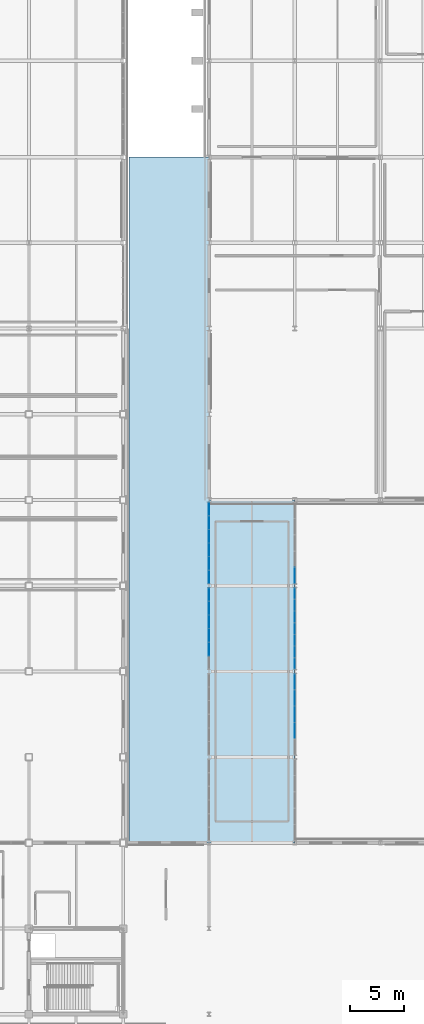
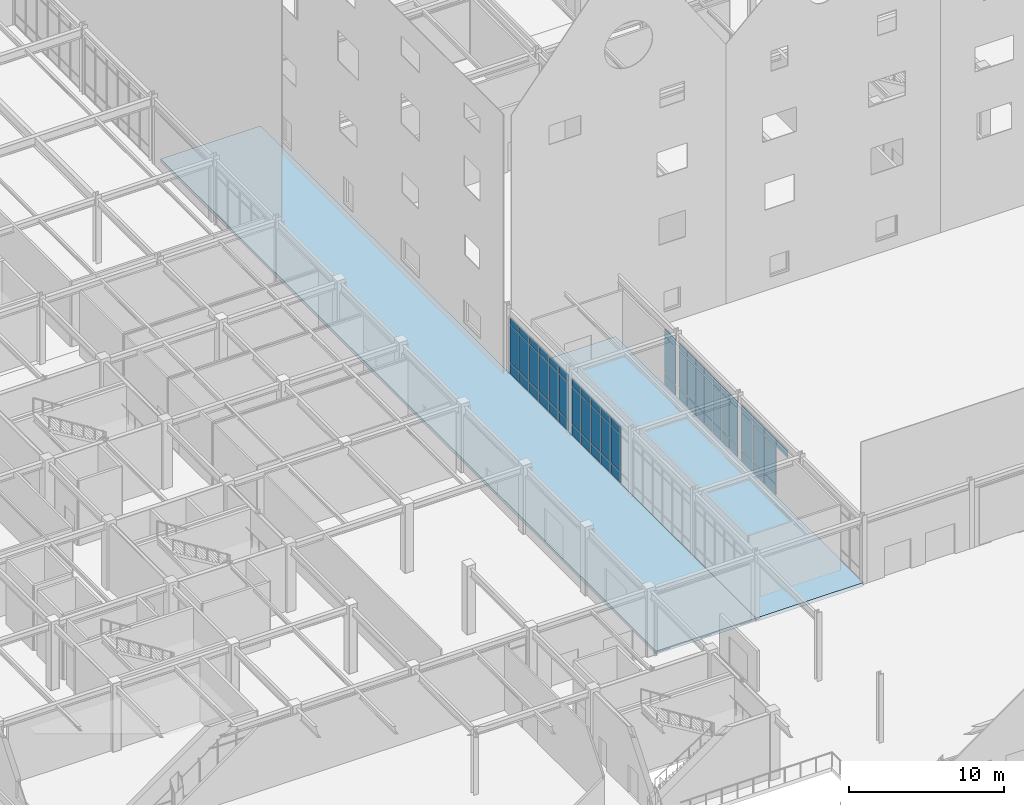
# One storey, part 57 of 119: 67 plates, 2 slabs, 5 elements without a shape of their own.
"""IFC4 building model written with IfcOpenShell, lengths in metres."""

from ifc_helpers import new_model, si_unit, direction, frame, origin, origin_2d, place, context, subcontext, project, spatial, polyline, rectangle, outline, extrude, material, layer, layer_set, type_object, element, aggregate, save


model = new_model("IFC4")

# Units and contexts
model_context = context("Model", 3, precision=1e-05, world=origin(), true_north=direction((0.0, 1.0)))
body_context = subcontext(model_context, "Body", "Model", "MODEL_VIEW")
ifc_project = project(units=[si_unit("LENGTHUNIT", "METRE"), si_unit("AREAUNIT", "SQUARE_METRE"), si_unit("VOLUMEUNIT", "CUBIC_METRE"), si_unit("PLANEANGLEUNIT", "RADIAN"), si_unit("MASSUNIT", "GRAM", prefix="KILO")], contexts=[model_context])

# Site, building, storey
site_placement = place(None, origin())
site = spatial("IfcSite", under=ifc_project, at=site_placement, CompositionType="ELEMENT")
building_placement = place(site_placement, origin())
building = spatial("IfcBuilding", under=site, at=building_placement, Name="Zhaolan Boulevard Law Courts", CompositionType="ELEMENT")
storey_placement = place(building_placement, origin())
storey = spatial("IfcBuildingStorey", under=building, at=storey_placement, Name="L00", CompositionType="ELEMENT", Elevation=0.0)

# Curtain wall, plates
ifc_material_1 = material(Name="Thermally broken aluminium and low-E glazing", Category="aluminium")
curtain_wall_type_1 = type_object("IfcCurtainWallType", Name="CURTAIN WALL M14", PredefinedType="USERDEFINED", material=ifc_material_1)
curtain_wall_1_placement = place(storey_placement, origin())
curtain_wall_1 = element("IfcCurtainWall", 1, at=curtain_wall_1_placement, inside=storey, type_object=curtain_wall_type_1, Name="Curtain Wall CW-L00-014", ObjectType="CURTAIN WALL", PredefinedType="USERDEFINED")
ifc_material_2 = material(Name="Acoustic laminated low-E glazing", Category="glass")
ifc_layer_1 = layer(ifc_material_2, 0.031982421875)
ifc_layer_set_1 = layer_set([ifc_layer_1])
plate_type = type_object("IfcPlateType", Name="CWPANEL LOW E32", PredefinedType="CURTAIN_PANEL", material=ifc_layer_set_1)
plate_1_placement = place(storey_placement, frame((52.0, 53.169677734375, 0.06494140625), z_axis=(0.0, 0.0, 1.0), x_axis=(0.0, -1.0, 0.0)))
plate_1 = element("IfcPlate", 2, at=plate_1_placement, type_object=plate_type, Name="CW-L00-014 panel 1.1", PredefinedType="CURTAIN_PANEL", context=body_context, shape_type="SweptSolid", body=[
    extrude(rectangle(XDim=1.1767578125, YDim=0.031982421875, at=origin_2d()), origin(), (0.0, 0.0, 1.0), 0.802490234375),
])
plate_2_placement = place(storey_placement, frame((52.0, 53.169677734375, 0.9326171875), z_axis=(0.0, 0.0, 1.0), x_axis=(0.0, -1.0, 0.0)))
plate_2 = element("IfcPlate", 3, at=plate_2_placement, type_object=plate_type, Name="CW-L00-014 panel 1.2", PredefinedType="CURTAIN_PANEL", context=body_context, shape_type="SweptSolid", body=[
    extrude(rectangle(XDim=1.1767578125, YDim=0.031982421875, at=origin_2d()), origin(), (0.0, 0.0, 1.0), 2.91796875),
])
plate_3_placement = place(storey_placement, frame((52.0, 53.169677734375, 3.91552734375), z_axis=(0.0, 0.0, 1.0), x_axis=(0.0, -1.0, 0.0)))
plate_3 = element("IfcPlate", 4, at=plate_3_placement, type_object=plate_type, Name="CW-L00-014 panel 1.3", PredefinedType="CURTAIN_PANEL", context=body_context, shape_type="SweptSolid", body=[
    extrude(rectangle(XDim=1.1767578125, YDim=0.031982421875, at=origin_2d()), origin(), (0.0, 0.0, 1.0), 0.552490234375),
])
plate_4_placement = place(storey_placement, frame((52.0, 51.91162109375, 0.06494140625), z_axis=(0.0, 0.0, 1.0), x_axis=(0.0, -1.0, 0.0)))
plate_4 = element("IfcPlate", 5, at=plate_4_placement, type_object=plate_type, Name="CW-L00-014 panel 2.1", PredefinedType="CURTAIN_PANEL", context=body_context, shape_type="SweptSolid", body=[
    extrude(rectangle(XDim=1.209228515625, YDim=0.031982421875, at=origin_2d()), origin(), (0.0, 0.0, 1.0), 0.802490234375),
])
plate_5_placement = place(storey_placement, frame((52.0, 51.91162109375, 0.9326171875), z_axis=(0.0, 0.0, 1.0), x_axis=(0.0, -1.0, 0.0)))
plate_5 = element("IfcPlate", 6, at=plate_5_placement, type_object=plate_type, Name="CW-L00-014 panel 2.2", PredefinedType="CURTAIN_PANEL", context=body_context, shape_type="SweptSolid", body=[
    extrude(rectangle(XDim=1.209228515625, YDim=0.031982421875, at=origin_2d()), origin(), (0.0, 0.0, 1.0), 2.91796875),
])
plate_6_placement = place(storey_placement, frame((52.0, 51.91162109375, 3.91552734375), z_axis=(0.0, 0.0, 1.0), x_axis=(0.0, -1.0, 0.0)))
plate_6 = element("IfcPlate", 7, at=plate_6_placement, type_object=plate_type, Name="CW-L00-014 panel 2.3", PredefinedType="CURTAIN_PANEL", context=body_context, shape_type="SweptSolid", body=[
    extrude(rectangle(XDim=1.209228515625, YDim=0.031982421875, at=origin_2d()), origin(), (0.0, 0.0, 1.0), 0.552490234375),
])
plate_7_placement = place(storey_placement, frame((52.0, 50.63720703125, 0.06494140625), z_axis=(0.0, 0.0, 1.0), x_axis=(0.0, -1.0, 0.0)))
plate_7 = element("IfcPlate", 8, at=plate_7_placement, type_object=plate_type, Name="CW-L00-014 panel 3.1", PredefinedType="CURTAIN_PANEL", context=body_context, shape_type="SweptSolid", body=[
    extrude(rectangle(XDim=1.209228515625, YDim=0.031982421875, at=origin_2d()), origin(), (0.0, 0.0, 1.0), 0.802490234375),
])
plate_8_placement = place(storey_placement, frame((52.0, 50.63720703125, 0.9326171875), z_axis=(0.0, 0.0, 1.0), x_axis=(0.0, -1.0, 0.0)))
plate_8 = element("IfcPlate", 9, at=plate_8_placement, type_object=plate_type, Name="CW-L00-014 panel 3.2", PredefinedType="CURTAIN_PANEL", context=body_context, shape_type="SweptSolid", body=[
    extrude(rectangle(XDim=1.209228515625, YDim=0.031982421875, at=origin_2d()), origin(), (0.0, 0.0, 1.0), 2.91796875),
])
plate_9_placement = place(storey_placement, frame((52.0, 50.63720703125, 3.91552734375), z_axis=(0.0, 0.0, 1.0), x_axis=(0.0, -1.0, 0.0)))
plate_9 = element("IfcPlate", 10, at=plate_9_placement, type_object=plate_type, Name="CW-L00-014 panel 3.3", PredefinedType="CURTAIN_PANEL", context=body_context, shape_type="SweptSolid", body=[
    extrude(rectangle(XDim=1.209228515625, YDim=0.031982421875, at=origin_2d()), origin(), (0.0, 0.0, 1.0), 0.552490234375),
])
plate_10_placement = place(storey_placement, frame((52.0, 49.36279296875, 0.06494140625), z_axis=(0.0, 0.0, 1.0), x_axis=(0.0, -1.0, 0.0)))
plate_10 = element("IfcPlate", 11, at=plate_10_placement, type_object=plate_type, Name="CW-L00-014 panel 4.1", PredefinedType="CURTAIN_PANEL", context=body_context, shape_type="SweptSolid", body=[
    extrude(rectangle(XDim=1.209228515625, YDim=0.031982421875, at=origin_2d()), origin(), (0.0, 0.0, 1.0), 0.802490234375),
])
plate_11_placement = place(storey_placement, frame((52.0, 49.36279296875, 0.9326171875), z_axis=(0.0, 0.0, 1.0), x_axis=(0.0, -1.0, 0.0)))
plate_11 = element("IfcPlate", 12, at=plate_11_placement, type_object=plate_type, Name="CW-L00-014 panel 4.2", PredefinedType="CURTAIN_PANEL", context=body_context, shape_type="SweptSolid", body=[
    extrude(rectangle(XDim=1.209228515625, YDim=0.031982421875, at=origin_2d()), origin(), (0.0, 0.0, 1.0), 2.91796875),
])
plate_12_placement = place(storey_placement, frame((52.0, 49.36279296875, 3.91552734375), z_axis=(0.0, 0.0, 1.0), x_axis=(0.0, -1.0, 0.0)))
plate_12 = element("IfcPlate", 13, at=plate_12_placement, type_object=plate_type, Name="CW-L00-014 panel 4.3", PredefinedType="CURTAIN_PANEL", context=body_context, shape_type="SweptSolid", body=[
    extrude(rectangle(XDim=1.209228515625, YDim=0.031982421875, at=origin_2d()), origin(), (0.0, 0.0, 1.0), 0.552490234375),
])
plate_13_placement = place(storey_placement, frame((52.0, 48.08837890625, 0.06494140625), z_axis=(0.0, 0.0, 1.0), x_axis=(0.0, -1.0, 0.0)))
plate_13 = element("IfcPlate", 14, at=plate_13_placement, type_object=plate_type, Name="CW-L00-014 panel 5.1", PredefinedType="CURTAIN_PANEL", context=body_context, shape_type="SweptSolid", body=[
    extrude(rectangle(XDim=1.209228515625, YDim=0.031982421875, at=origin_2d()), origin(), (0.0, 0.0, 1.0), 0.802490234375),
])
plate_14_placement = place(storey_placement, frame((52.0, 48.08837890625, 0.9326171875), z_axis=(0.0, 0.0, 1.0), x_axis=(0.0, -1.0, 0.0)))
plate_14 = element("IfcPlate", 15, at=plate_14_placement, type_object=plate_type, Name="CW-L00-014 panel 5.2", PredefinedType="CURTAIN_PANEL", context=body_context, shape_type="SweptSolid", body=[
    extrude(rectangle(XDim=1.209228515625, YDim=0.031982421875, at=origin_2d()), origin(), (0.0, 0.0, 1.0), 2.91796875),
])
plate_15_placement = place(storey_placement, frame((52.0, 48.08837890625, 3.91552734375), z_axis=(0.0, 0.0, 1.0), x_axis=(0.0, -1.0, 0.0)))
plate_15 = element("IfcPlate", 16, at=plate_15_placement, type_object=plate_type, Name="CW-L00-014 panel 5.3", PredefinedType="CURTAIN_PANEL", context=body_context, shape_type="SweptSolid", body=[
    extrude(rectangle(XDim=1.209228515625, YDim=0.031982421875, at=origin_2d()), origin(), (0.0, 0.0, 1.0), 0.552490234375),
])
aggregate(curtain_wall_1, [plate_1, plate_2, plate_3, plate_4, plate_5, plate_6, plate_7, plate_8, plate_9, plate_10, plate_11, plate_12, plate_13, plate_14, plate_15])

ifc_material_3 = material(Name="Thermally broken aluminium and low-E glazing", Category="aluminium")
curtain_wall_type_2 = type_object("IfcCurtainWallType", Name="CURTAIN WALL M15", PredefinedType="USERDEFINED", material=ifc_material_3)
curtain_wall_2_placement = place(storey_placement, origin())
curtain_wall_2 = element("IfcCurtainWall", 17, at=curtain_wall_2_placement, inside=storey, type_object=curtain_wall_type_2, Name="Curtain Wall CW-L00-015", ObjectType="CURTAIN WALL", PredefinedType="USERDEFINED")
plate_16_placement = place(storey_placement, frame((52.0, 61.146728515625, 0.06494140625), z_axis=(0.0, 0.0, 1.0), x_axis=(0.0, -1.0, 0.0)))
plate_16 = element("IfcPlate", 18, at=plate_16_placement, type_object=plate_type, Name="CW-L00-015 panel 1.1", PredefinedType="CURTAIN_PANEL", context=body_context, shape_type="SweptSolid", body=[
    extrude(rectangle(XDim=1.172607421875, YDim=0.031982421875, at=origin_2d()), origin(), (0.0, 0.0, 1.0), 0.802490234375),
])
plate_17_placement = place(storey_placement, frame((52.0, 61.146728515625, 0.9326171875), z_axis=(0.0, 0.0, 1.0), x_axis=(0.0, -1.0, 0.0)))
plate_17 = element("IfcPlate", 19, at=plate_17_placement, type_object=plate_type, Name="CW-L00-015 panel 1.2", PredefinedType="CURTAIN_PANEL", context=body_context, shape_type="SweptSolid", body=[
    extrude(rectangle(XDim=1.172607421875, YDim=0.031982421875, at=origin_2d()), origin(), (0.0, 0.0, 1.0), 2.91796875),
])
plate_18_placement = place(storey_placement, frame((52.0, 61.146728515625, 3.91552734375), z_axis=(0.0, 0.0, 1.0), x_axis=(0.0, -1.0, 0.0)))
plate_18 = element("IfcPlate", 20, at=plate_18_placement, type_object=plate_type, Name="CW-L00-015 panel 1.3", PredefinedType="CURTAIN_PANEL", context=body_context, shape_type="SweptSolid", body=[
    extrude(rectangle(XDim=1.172607421875, YDim=0.031982421875, at=origin_2d()), origin(), (0.0, 0.0, 1.0), 0.552490234375),
])
plate_19_placement = place(storey_placement, frame((52.0, 59.892822265625, 0.06494140625), z_axis=(0.0, 0.0, 1.0), x_axis=(0.0, -1.0, 0.0)))
plate_19 = element("IfcPlate", 21, at=plate_19_placement, type_object=plate_type, Name="CW-L00-015 panel 2.1", PredefinedType="CURTAIN_PANEL", context=body_context, shape_type="SweptSolid", body=[
    extrude(rectangle(XDim=1.205078125, YDim=0.031982421875, at=origin_2d()), origin(), (0.0, 0.0, 1.0), 0.802490234375),
])
plate_20_placement = place(storey_placement, frame((52.0, 59.892822265625, 0.9326171875), z_axis=(0.0, 0.0, 1.0), x_axis=(0.0, -1.0, 0.0)))
plate_20 = element("IfcPlate", 22, at=plate_20_placement, type_object=plate_type, Name="CW-L00-015 panel 2.2", PredefinedType="CURTAIN_PANEL", context=body_context, shape_type="SweptSolid", body=[
    extrude(rectangle(XDim=1.205078125, YDim=0.031982421875, at=origin_2d()), origin(), (0.0, 0.0, 1.0), 2.91796875),
])
plate_21_placement = place(storey_placement, frame((52.0, 59.892822265625, 3.91552734375), z_axis=(0.0, 0.0, 1.0), x_axis=(0.0, -1.0, 0.0)))
plate_21 = element("IfcPlate", 23, at=plate_21_placement, type_object=plate_type, Name="CW-L00-015 panel 2.3", PredefinedType="CURTAIN_PANEL", context=body_context, shape_type="SweptSolid", body=[
    extrude(rectangle(XDim=1.205078125, YDim=0.031982421875, at=origin_2d()), origin(), (0.0, 0.0, 1.0), 0.552490234375),
])
plate_22_placement = place(storey_placement, frame((52.0, 58.62255859375, 0.06494140625), z_axis=(0.0, 0.0, 1.0), x_axis=(0.0, -1.0, 0.0)))
plate_22 = element("IfcPlate", 24, at=plate_22_placement, type_object=plate_type, Name="CW-L00-015 panel 3.1", PredefinedType="CURTAIN_PANEL", context=body_context, shape_type="SweptSolid", body=[
    extrude(rectangle(XDim=1.205078125, YDim=0.031982421875, at=origin_2d()), origin(), (0.0, 0.0, 1.0), 0.802490234375),
])
plate_23_placement = place(storey_placement, frame((52.0, 58.62255859375, 0.9326171875), z_axis=(0.0, 0.0, 1.0), x_axis=(0.0, -1.0, 0.0)))
plate_23 = element("IfcPlate", 25, at=plate_23_placement, type_object=plate_type, Name="CW-L00-015 panel 3.2", PredefinedType="CURTAIN_PANEL", context=body_context, shape_type="SweptSolid", body=[
    extrude(rectangle(XDim=1.205078125, YDim=0.031982421875, at=origin_2d()), origin(), (0.0, 0.0, 1.0), 2.91796875),
])
plate_24_placement = place(storey_placement, frame((52.0, 58.62255859375, 3.91552734375), z_axis=(0.0, 0.0, 1.0), x_axis=(0.0, -1.0, 0.0)))
plate_24 = element("IfcPlate", 26, at=plate_24_placement, type_object=plate_type, Name="CW-L00-015 panel 3.3", PredefinedType="CURTAIN_PANEL", context=body_context, shape_type="SweptSolid", body=[
    extrude(rectangle(XDim=1.205078125, YDim=0.031982421875, at=origin_2d()), origin(), (0.0, 0.0, 1.0), 0.552490234375),
])
plate_25_placement = place(storey_placement, frame((52.0, 57.352294921875, 0.06494140625), z_axis=(0.0, 0.0, 1.0), x_axis=(0.0, -1.0, 0.0)))
plate_25 = element("IfcPlate", 27, at=plate_25_placement, type_object=plate_type, Name="CW-L00-015 panel 4.1", PredefinedType="CURTAIN_PANEL", context=body_context, shape_type="SweptSolid", body=[
    extrude(rectangle(XDim=1.205078125, YDim=0.031982421875, at=origin_2d()), origin(), (0.0, 0.0, 1.0), 0.802490234375),
])
plate_26_placement = place(storey_placement, frame((52.0, 57.352294921875, 0.9326171875), z_axis=(0.0, 0.0, 1.0), x_axis=(0.0, -1.0, 0.0)))
plate_26 = element("IfcPlate", 28, at=plate_26_placement, type_object=plate_type, Name="CW-L00-015 panel 4.2", PredefinedType="CURTAIN_PANEL", context=body_context, shape_type="SweptSolid", body=[
    extrude(rectangle(XDim=1.205078125, YDim=0.031982421875, at=origin_2d()), origin(), (0.0, 0.0, 1.0), 2.91796875),
])
plate_27_placement = place(storey_placement, frame((52.0, 57.352294921875, 3.91552734375), z_axis=(0.0, 0.0, 1.0), x_axis=(0.0, -1.0, 0.0)))
plate_27 = element("IfcPlate", 29, at=plate_27_placement, type_object=plate_type, Name="CW-L00-015 panel 4.3", PredefinedType="CURTAIN_PANEL", context=body_context, shape_type="SweptSolid", body=[
    extrude(rectangle(XDim=1.205078125, YDim=0.031982421875, at=origin_2d()), origin(), (0.0, 0.0, 1.0), 0.552490234375),
])
plate_28_placement = place(storey_placement, frame((52.0, 56.082275390625, 0.06494140625), z_axis=(0.0, 0.0, 1.0), x_axis=(0.0, -1.0, 0.0)))
plate_28 = element("IfcPlate", 30, at=plate_28_placement, type_object=plate_type, Name="CW-L00-015 panel 5.1", PredefinedType="CURTAIN_PANEL", context=body_context, shape_type="SweptSolid", body=[
    extrude(rectangle(XDim=1.205078125, YDim=0.031982421875, at=origin_2d()), origin(), (0.0, 0.0, 1.0), 0.802490234375),
])
plate_29_placement = place(storey_placement, frame((52.0, 56.082275390625, 0.9326171875), z_axis=(0.0, 0.0, 1.0), x_axis=(0.0, -1.0, 0.0)))
plate_29 = element("IfcPlate", 31, at=plate_29_placement, type_object=plate_type, Name="CW-L00-015 panel 5.2", PredefinedType="CURTAIN_PANEL", context=body_context, shape_type="SweptSolid", body=[
    extrude(rectangle(XDim=1.205078125, YDim=0.031982421875, at=origin_2d()), origin(), (0.0, 0.0, 1.0), 2.91796875),
])
plate_30_placement = place(storey_placement, frame((52.0, 56.082275390625, 3.91552734375), z_axis=(0.0, 0.0, 1.0), x_axis=(0.0, -1.0, 0.0)))
plate_30 = element("IfcPlate", 32, at=plate_30_placement, type_object=plate_type, Name="CW-L00-015 panel 5.3", PredefinedType="CURTAIN_PANEL", context=body_context, shape_type="SweptSolid", body=[
    extrude(rectangle(XDim=1.205078125, YDim=0.031982421875, at=origin_2d()), origin(), (0.0, 0.0, 1.0), 0.552490234375),
])
plate_31_placement = place(storey_placement, frame((52.0, 54.828369140625, 0.06494140625), z_axis=(0.0, 0.0, 1.0), x_axis=(0.0, -1.0, 0.0)))
plate_31 = element("IfcPlate", 33, at=plate_31_placement, type_object=plate_type, Name="CW-L00-015 panel 6.1", PredefinedType="CURTAIN_PANEL", context=body_context, shape_type="SweptSolid", body=[
    extrude(rectangle(XDim=1.172607421875, YDim=0.031982421875, at=origin_2d()), origin(), (0.0, 0.0, 1.0), 0.802490234375),
])
plate_32_placement = place(storey_placement, frame((52.0, 54.828369140625, 0.9326171875), z_axis=(0.0, 0.0, 1.0), x_axis=(0.0, -1.0, 0.0)))
plate_32 = element("IfcPlate", 34, at=plate_32_placement, type_object=plate_type, Name="CW-L00-015 panel 6.2", PredefinedType="CURTAIN_PANEL", context=body_context, shape_type="SweptSolid", body=[
    extrude(rectangle(XDim=1.172607421875, YDim=0.031982421875, at=origin_2d()), origin(), (0.0, 0.0, 1.0), 2.91796875),
])
plate_33_placement = place(storey_placement, frame((52.0, 54.828369140625, 3.91552734375), z_axis=(0.0, 0.0, 1.0), x_axis=(0.0, -1.0, 0.0)))
plate_33 = element("IfcPlate", 35, at=plate_33_placement, type_object=plate_type, Name="CW-L00-015 panel 6.3", PredefinedType="CURTAIN_PANEL", context=body_context, shape_type="SweptSolid", body=[
    extrude(rectangle(XDim=1.172607421875, YDim=0.031982421875, at=origin_2d()), origin(), (0.0, 0.0, 1.0), 0.552490234375),
])
aggregate(curtain_wall_2, [plate_16, plate_17, plate_18, plate_19, plate_20, plate_21, plate_22, plate_23, plate_24, plate_25, plate_26, plate_27, plate_28, plate_29, plate_30, plate_31, plate_32, plate_33])

ifc_material_4 = material(Name="Thermally broken aluminium and low-E glazing", Category="aluminium")
curtain_wall_type_3 = type_object("IfcCurtainWallType", Name="CURTAIN WALL M17", PredefinedType="USERDEFINED", material=ifc_material_4)
curtain_wall_3_placement = place(storey_placement, origin())
curtain_wall_3 = element("IfcCurtainWall", 36, at=curtain_wall_3_placement, inside=storey, type_object=curtain_wall_type_3, Name="Curtain Wall CW-L00-017", ObjectType="CURTAIN WALL", PredefinedType="USERDEFINED")
plate_34_placement = place(storey_placement, frame((60.0, 40.470703125, 3.91552734375), z_axis=(0.0, 0.0, 1.0), x_axis=(0.0, 1.0, 0.0)))
plate_34 = element("IfcPlate", 37, at=plate_34_placement, type_object=plate_type, Name="CW-L00-017 panel 2.3", PredefinedType="CURTAIN_PANEL", context=body_context, shape_type="SweptSolid", body=[
    extrude(rectangle(XDim=1.464111328125, YDim=0.031982421875, at=origin_2d()), origin(), (0.0, 0.0, 1.0), 0.552490234375),
])
plate_35_placement = place(storey_placement, frame((60.0, 42.0, 0.06494140625), z_axis=(0.0, 0.0, 1.0), x_axis=(0.0, 1.0, 0.0)))
plate_35 = element("IfcPlate", 38, at=plate_35_placement, type_object=plate_type, Name="CW-L00-017 panel 3.1", PredefinedType="CURTAIN_PANEL", context=body_context, shape_type="SweptSolid", body=[
    extrude(rectangle(XDim=1.464111328125, YDim=0.031982421875, at=origin_2d()), origin(), (0.0, 0.0, 1.0), 0.802490234375),
])
plate_36_placement = place(storey_placement, frame((60.0, 42.0, 0.9326171875), z_axis=(0.0, 0.0, 1.0), x_axis=(0.0, 1.0, 0.0)))
plate_36 = element("IfcPlate", 39, at=plate_36_placement, type_object=plate_type, Name="CW-L00-017 panel 3.2", PredefinedType="CURTAIN_PANEL", context=body_context, shape_type="SweptSolid", body=[
    extrude(rectangle(XDim=1.464111328125, YDim=0.031982421875, at=origin_2d()), origin(), (0.0, 0.0, 1.0), 2.91796875),
])
plate_37_placement = place(storey_placement, frame((60.0, 42.0, 3.91552734375), z_axis=(0.0, 0.0, 1.0), x_axis=(0.0, 1.0, 0.0)))
plate_37 = element("IfcPlate", 40, at=plate_37_placement, type_object=plate_type, Name="CW-L00-017 panel 3.3", PredefinedType="CURTAIN_PANEL", context=body_context, shape_type="SweptSolid", body=[
    extrude(rectangle(XDim=1.464111328125, YDim=0.031982421875, at=origin_2d()), origin(), (0.0, 0.0, 1.0), 0.552490234375),
])
plate_38_placement = place(storey_placement, frame((60.0, 43.529296875, 0.06494140625), z_axis=(0.0, 0.0, 1.0), x_axis=(0.0, 1.0, 0.0)))
plate_38 = element("IfcPlate", 41, at=plate_38_placement, type_object=plate_type, Name="CW-L00-017 panel 4.1", PredefinedType="CURTAIN_PANEL", context=body_context, shape_type="SweptSolid", body=[
    extrude(rectangle(XDim=1.464111328125, YDim=0.031982421875, at=origin_2d()), origin(), (0.0, 0.0, 1.0), 0.802490234375),
])
plate_39_placement = place(storey_placement, frame((60.0, 43.529296875, 0.9326171875), z_axis=(0.0, 0.0, 1.0), x_axis=(0.0, 1.0, 0.0)))
plate_39 = element("IfcPlate", 42, at=plate_39_placement, type_object=plate_type, Name="CW-L00-017 panel 4.2", PredefinedType="CURTAIN_PANEL", context=body_context, shape_type="SweptSolid", body=[
    extrude(rectangle(XDim=1.464111328125, YDim=0.031982421875, at=origin_2d()), origin(), (0.0, 0.0, 1.0), 2.91796875),
])
plate_40_placement = place(storey_placement, frame((60.0, 43.529296875, 3.91552734375), z_axis=(0.0, 0.0, 1.0), x_axis=(0.0, 1.0, 0.0)))
plate_40 = element("IfcPlate", 43, at=plate_40_placement, type_object=plate_type, Name="CW-L00-017 panel 4.3", PredefinedType="CURTAIN_PANEL", context=body_context, shape_type="SweptSolid", body=[
    extrude(rectangle(XDim=1.464111328125, YDim=0.031982421875, at=origin_2d()), origin(), (0.0, 0.0, 1.0), 0.552490234375),
])
plate_41_placement = place(storey_placement, frame((60.0, 45.042236328125, 0.06494140625), z_axis=(0.0, 0.0, 1.0), x_axis=(0.0, 1.0, 0.0)))
plate_41 = element("IfcPlate", 44, at=plate_41_placement, type_object=plate_type, Name="CW-L00-017 panel 5.1", PredefinedType="CURTAIN_PANEL", context=body_context, shape_type="SweptSolid", body=[
    extrude(rectangle(XDim=1.431640625, YDim=0.031982421875, at=origin_2d()), origin(), (0.0, 0.0, 1.0), 0.802490234375),
])
plate_42_placement = place(storey_placement, frame((60.0, 45.042236328125, 0.9326171875), z_axis=(0.0, 0.0, 1.0), x_axis=(0.0, 1.0, 0.0)))
plate_42 = element("IfcPlate", 45, at=plate_42_placement, type_object=plate_type, Name="CW-L00-017 panel 5.2", PredefinedType="CURTAIN_PANEL", context=body_context, shape_type="SweptSolid", body=[
    extrude(rectangle(XDim=1.431640625, YDim=0.031982421875, at=origin_2d()), origin(), (0.0, 0.0, 1.0), 2.91796875),
])
plate_43_placement = place(storey_placement, frame((60.0, 45.042236328125, 3.91552734375), z_axis=(0.0, 0.0, 1.0), x_axis=(0.0, 1.0, 0.0)))
plate_43 = element("IfcPlate", 46, at=plate_43_placement, type_object=plate_type, Name="CW-L00-017 panel 5.3", PredefinedType="CURTAIN_PANEL", context=body_context, shape_type="SweptSolid", body=[
    extrude(rectangle(XDim=1.431640625, YDim=0.031982421875, at=origin_2d()), origin(), (0.0, 0.0, 1.0), 0.552490234375),
])
aggregate(curtain_wall_3, [plate_34, plate_35, plate_36, plate_37, plate_38, plate_39, plate_40, plate_41, plate_42, plate_43])

ifc_material_5 = material(Name="Thermally broken aluminium and low-E glazing", Category="aluminium")
curtain_wall_type_4 = type_object("IfcCurtainWallType", Name="CURTAIN WALL M18", PredefinedType="USERDEFINED", material=ifc_material_5)
curtain_wall_4_placement = place(storey_placement, origin())
curtain_wall_4 = element("IfcCurtainWall", 47, at=curtain_wall_4_placement, inside=storey, type_object=curtain_wall_type_4, Name="Curtain Wall CW-L00-018", ObjectType="CURTAIN WALL", PredefinedType="USERDEFINED")
plate_44_placement = place(storey_placement, frame((60.0, 46.739501953125, 0.06494140625), z_axis=(0.0, 0.0, 1.0), x_axis=(0.0, 1.0, 0.0)))
plate_44 = element("IfcPlate", 48, at=plate_44_placement, type_object=plate_type, Name="CW-L00-018 panel 1.1", PredefinedType="CURTAIN_PANEL", context=body_context, shape_type="SweptSolid", body=[
    extrude(rectangle(XDim=0.994873046875, YDim=0.031982421875, at=origin_2d()), origin(), (0.0, 0.0, 1.0), 0.802490234375),
])
plate_45_placement = place(storey_placement, frame((60.0, 46.739501953125, 0.9326171875), z_axis=(0.0, 0.0, 1.0), x_axis=(0.0, 1.0, 0.0)))
plate_45 = element("IfcPlate", 49, at=plate_45_placement, type_object=plate_type, Name="CW-L00-018 panel 1.2", PredefinedType="CURTAIN_PANEL", context=body_context, shape_type="SweptSolid", body=[
    extrude(rectangle(XDim=0.994873046875, YDim=0.031982421875, at=origin_2d()), origin(), (0.0, 0.0, 1.0), 2.91796875),
])
plate_46_placement = place(storey_placement, frame((60.0, 46.739501953125, 3.91552734375), z_axis=(0.0, 0.0, 1.0), x_axis=(0.0, 1.0, 0.0)))
plate_46 = element("IfcPlate", 50, at=plate_46_placement, type_object=plate_type, Name="CW-L00-018 panel 1.3", PredefinedType="CURTAIN_PANEL", context=body_context, shape_type="SweptSolid", body=[
    extrude(rectangle(XDim=0.994873046875, YDim=0.031982421875, at=origin_2d()), origin(), (0.0, 0.0, 1.0), 0.552490234375),
])
plate_47_placement = place(storey_placement, frame((60.0, 47.8154296875, 0.06494140625), z_axis=(0.0, 0.0, 1.0), x_axis=(0.0, 1.0, 0.0)))
plate_47 = element("IfcPlate", 51, at=plate_47_placement, type_object=plate_type, Name="CW-L00-018 panel 2.1", PredefinedType="CURTAIN_PANEL", context=body_context, shape_type="SweptSolid", body=[
    extrude(rectangle(XDim=1.02734375, YDim=0.031982421875, at=origin_2d()), origin(), (0.0, 0.0, 1.0), 0.802490234375),
])
plate_48_placement = place(storey_placement, frame((60.0, 47.8154296875, 0.9326171875), z_axis=(0.0, 0.0, 1.0), x_axis=(0.0, 1.0, 0.0)))
plate_48 = element("IfcPlate", 52, at=plate_48_placement, type_object=plate_type, Name="CW-L00-018 panel 2.2", PredefinedType="CURTAIN_PANEL", context=body_context, shape_type="SweptSolid", body=[
    extrude(rectangle(XDim=1.02734375, YDim=0.031982421875, at=origin_2d()), origin(), (0.0, 0.0, 1.0), 2.91796875),
])
plate_49_placement = place(storey_placement, frame((60.0, 47.8154296875, 3.91552734375), z_axis=(0.0, 0.0, 1.0), x_axis=(0.0, 1.0, 0.0)))
plate_49 = element("IfcPlate", 53, at=plate_49_placement, type_object=plate_type, Name="CW-L00-018 panel 2.3", PredefinedType="CURTAIN_PANEL", context=body_context, shape_type="SweptSolid", body=[
    extrude(rectangle(XDim=1.02734375, YDim=0.031982421875, at=origin_2d()), origin(), (0.0, 0.0, 1.0), 0.552490234375),
])
plate_50_placement = place(storey_placement, frame((60.0, 48.90771484375, 0.06494140625), z_axis=(0.0, 0.0, 1.0), x_axis=(0.0, 1.0, 0.0)))
plate_50 = element("IfcPlate", 54, at=plate_50_placement, type_object=plate_type, Name="CW-L00-018 panel 3.1", PredefinedType="CURTAIN_PANEL", context=body_context, shape_type="SweptSolid", body=[
    extrude(rectangle(XDim=1.02734375, YDim=0.031982421875, at=origin_2d()), origin(), (0.0, 0.0, 1.0), 0.802490234375),
])
plate_51_placement = place(storey_placement, frame((60.0, 48.90771484375, 0.9326171875), z_axis=(0.0, 0.0, 1.0), x_axis=(0.0, 1.0, 0.0)))
plate_51 = element("IfcPlate", 55, at=plate_51_placement, type_object=plate_type, Name="CW-L00-018 panel 3.2", PredefinedType="CURTAIN_PANEL", context=body_context, shape_type="SweptSolid", body=[
    extrude(rectangle(XDim=1.02734375, YDim=0.031982421875, at=origin_2d()), origin(), (0.0, 0.0, 1.0), 2.91796875),
])
plate_52_placement = place(storey_placement, frame((60.0, 48.90771484375, 3.91552734375), z_axis=(0.0, 0.0, 1.0), x_axis=(0.0, 1.0, 0.0)))
plate_52 = element("IfcPlate", 56, at=plate_52_placement, type_object=plate_type, Name="CW-L00-018 panel 3.3", PredefinedType="CURTAIN_PANEL", context=body_context, shape_type="SweptSolid", body=[
    extrude(rectangle(XDim=1.02734375, YDim=0.031982421875, at=origin_2d()), origin(), (0.0, 0.0, 1.0), 0.552490234375),
])
plate_53_placement = place(storey_placement, frame((60.0, 50.0, 0.06494140625), z_axis=(0.0, 0.0, 1.0), x_axis=(0.0, 1.0, 0.0)))
plate_53 = element("IfcPlate", 57, at=plate_53_placement, type_object=plate_type, Name="CW-L00-018 panel 4.1", PredefinedType="CURTAIN_PANEL", context=body_context, shape_type="SweptSolid", body=[
    extrude(rectangle(XDim=1.02734375, YDim=0.031982421875, at=origin_2d()), origin(), (0.0, 0.0, 1.0), 0.802490234375),
])
plate_54_placement = place(storey_placement, frame((60.0, 50.0, 0.9326171875), z_axis=(0.0, 0.0, 1.0), x_axis=(0.0, 1.0, 0.0)))
plate_54 = element("IfcPlate", 58, at=plate_54_placement, type_object=plate_type, Name="CW-L00-018 panel 4.2", PredefinedType="CURTAIN_PANEL", context=body_context, shape_type="SweptSolid", body=[
    extrude(rectangle(XDim=1.02734375, YDim=0.031982421875, at=origin_2d()), origin(), (0.0, 0.0, 1.0), 2.91796875),
])
plate_55_placement = place(storey_placement, frame((60.0, 50.0, 3.91552734375), z_axis=(0.0, 0.0, 1.0), x_axis=(0.0, 1.0, 0.0)))
plate_55 = element("IfcPlate", 59, at=plate_55_placement, type_object=plate_type, Name="CW-L00-018 panel 4.3", PredefinedType="CURTAIN_PANEL", context=body_context, shape_type="SweptSolid", body=[
    extrude(rectangle(XDim=1.02734375, YDim=0.031982421875, at=origin_2d()), origin(), (0.0, 0.0, 1.0), 0.552490234375),
])
plate_56_placement = place(storey_placement, frame((60.0, 51.09228515625, 0.06494140625), z_axis=(0.0, 0.0, 1.0), x_axis=(0.0, 1.0, 0.0)))
plate_56 = element("IfcPlate", 60, at=plate_56_placement, type_object=plate_type, Name="CW-L00-018 panel 5.1", PredefinedType="CURTAIN_PANEL", context=body_context, shape_type="SweptSolid", body=[
    extrude(rectangle(XDim=1.02734375, YDim=0.031982421875, at=origin_2d()), origin(), (0.0, 0.0, 1.0), 0.802490234375),
])
plate_57_placement = place(storey_placement, frame((60.0, 51.09228515625, 0.9326171875), z_axis=(0.0, 0.0, 1.0), x_axis=(0.0, 1.0, 0.0)))
plate_57 = element("IfcPlate", 61, at=plate_57_placement, type_object=plate_type, Name="CW-L00-018 panel 5.2", PredefinedType="CURTAIN_PANEL", context=body_context, shape_type="SweptSolid", body=[
    extrude(rectangle(XDim=1.02734375, YDim=0.031982421875, at=origin_2d()), origin(), (0.0, 0.0, 1.0), 2.91796875),
])
plate_58_placement = place(storey_placement, frame((60.0, 51.09228515625, 3.91552734375), z_axis=(0.0, 0.0, 1.0), x_axis=(0.0, 1.0, 0.0)))
plate_58 = element("IfcPlate", 62, at=plate_58_placement, type_object=plate_type, Name="CW-L00-018 panel 5.3", PredefinedType="CURTAIN_PANEL", context=body_context, shape_type="SweptSolid", body=[
    extrude(rectangle(XDim=1.02734375, YDim=0.031982421875, at=origin_2d()), origin(), (0.0, 0.0, 1.0), 0.552490234375),
])
plate_59_placement = place(storey_placement, frame((60.0, 52.1845703125, 0.06494140625), z_axis=(0.0, 0.0, 1.0), x_axis=(0.0, 1.0, 0.0)))
plate_59 = element("IfcPlate", 63, at=plate_59_placement, type_object=plate_type, Name="CW-L00-018 panel 6.1", PredefinedType="CURTAIN_PANEL", context=body_context, shape_type="SweptSolid", body=[
    extrude(rectangle(XDim=1.02734375, YDim=0.031982421875, at=origin_2d()), origin(), (0.0, 0.0, 1.0), 0.802490234375),
])
plate_60_placement = place(storey_placement, frame((60.0, 52.1845703125, 0.9326171875), z_axis=(0.0, 0.0, 1.0), x_axis=(0.0, 1.0, 0.0)))
plate_60 = element("IfcPlate", 64, at=plate_60_placement, type_object=plate_type, Name="CW-L00-018 panel 6.2", PredefinedType="CURTAIN_PANEL", context=body_context, shape_type="SweptSolid", body=[
    extrude(rectangle(XDim=1.02734375, YDim=0.031982421875, at=origin_2d()), origin(), (0.0, 0.0, 1.0), 2.91796875),
])
plate_61_placement = place(storey_placement, frame((60.0, 52.1845703125, 3.91552734375), z_axis=(0.0, 0.0, 1.0), x_axis=(0.0, 1.0, 0.0)))
plate_61 = element("IfcPlate", 65, at=plate_61_placement, type_object=plate_type, Name="CW-L00-018 panel 6.3", PredefinedType="CURTAIN_PANEL", context=body_context, shape_type="SweptSolid", body=[
    extrude(rectangle(XDim=1.02734375, YDim=0.031982421875, at=origin_2d()), origin(), (0.0, 0.0, 1.0), 0.552490234375),
])
plate_62_placement = place(storey_placement, frame((60.0, 53.260498046875, 0.06494140625), z_axis=(0.0, 0.0, 1.0), x_axis=(0.0, 1.0, 0.0)))
plate_62 = element("IfcPlate", 66, at=plate_62_placement, type_object=plate_type, Name="CW-L00-018 panel 7.1", PredefinedType="CURTAIN_PANEL", context=body_context, shape_type="SweptSolid", body=[
    extrude(rectangle(XDim=0.994873046875, YDim=0.031982421875, at=origin_2d()), origin(), (0.0, 0.0, 1.0), 0.802490234375),
])
plate_63_placement = place(storey_placement, frame((60.0, 53.260498046875, 0.9326171875), z_axis=(0.0, 0.0, 1.0), x_axis=(0.0, 1.0, 0.0)))
plate_63 = element("IfcPlate", 67, at=plate_63_placement, type_object=plate_type, Name="CW-L00-018 panel 7.2", PredefinedType="CURTAIN_PANEL", context=body_context, shape_type="SweptSolid", body=[
    extrude(rectangle(XDim=0.994873046875, YDim=0.031982421875, at=origin_2d()), origin(), (0.0, 0.0, 1.0), 2.91796875),
])
plate_64_placement = place(storey_placement, frame((60.0, 53.260498046875, 3.91552734375), z_axis=(0.0, 0.0, 1.0), x_axis=(0.0, 1.0, 0.0)))
plate_64 = element("IfcPlate", 68, at=plate_64_placement, type_object=plate_type, Name="CW-L00-018 panel 7.3", PredefinedType="CURTAIN_PANEL", context=body_context, shape_type="SweptSolid", body=[
    extrude(rectangle(XDim=0.994873046875, YDim=0.031982421875, at=origin_2d()), origin(), (0.0, 0.0, 1.0), 0.552490234375),
])
aggregate(curtain_wall_4, [plate_44, plate_45, plate_46, plate_47, plate_48, plate_49, plate_50, plate_51, plate_52, plate_53, plate_54, plate_55, plate_56, plate_57, plate_58, plate_59, plate_60, plate_61, plate_62, plate_63, plate_64])

ifc_material_6 = material(Name="Thermally broken aluminium and low-E glazing", Category="aluminium")
curtain_wall_type_5 = type_object("IfcCurtainWallType", Name="CURTAIN WALL M19", PredefinedType="USERDEFINED", material=ifc_material_6)
curtain_wall_5_placement = place(storey_placement, origin())
curtain_wall_5 = element("IfcCurtainWall", 69, at=curtain_wall_5_placement, inside=storey, type_object=curtain_wall_type_5, Name="Curtain Wall CW-L00-019", ObjectType="CURTAIN WALL", PredefinedType="USERDEFINED")
plate_65_placement = place(storey_placement, frame((60.0, 54.955322265625, 0.06494140625), z_axis=(0.0, 0.0, 1.0), x_axis=(0.0, 1.0, 0.0)))
plate_65 = element("IfcPlate", 70, at=plate_65_placement, type_object=plate_type, Name="CW-L00-019 panel 1.1", PredefinedType="CURTAIN_PANEL", context=body_context, shape_type="SweptSolid", body=[
    extrude(rectangle(XDim=1.4267578125, YDim=0.031982421875, at=origin_2d()), origin(), (0.0, 0.0, 1.0), 0.802490234375),
])
plate_66_placement = place(storey_placement, frame((60.0, 54.955322265625, 0.9326171875), z_axis=(0.0, 0.0, 1.0), x_axis=(0.0, 1.0, 0.0)))
plate_66 = element("IfcPlate", 71, at=plate_66_placement, type_object=plate_type, Name="CW-L00-019 panel 1.2", PredefinedType="CURTAIN_PANEL", context=body_context, shape_type="SweptSolid", body=[
    extrude(rectangle(XDim=1.4267578125, YDim=0.031982421875, at=origin_2d()), origin(), (0.0, 0.0, 1.0), 2.91796875),
])
plate_67_placement = place(storey_placement, frame((60.0, 54.955322265625, 3.91552734375), z_axis=(0.0, 0.0, 1.0), x_axis=(0.0, 1.0, 0.0)))
plate_67 = element("IfcPlate", 72, at=plate_67_placement, type_object=plate_type, Name="CW-L00-019 panel 1.3", PredefinedType="CURTAIN_PANEL", context=body_context, shape_type="SweptSolid", body=[
    extrude(rectangle(XDim=1.4267578125, YDim=0.031982421875, at=origin_2d()), origin(), (0.0, 0.0, 1.0), 0.552490234375),
])
aggregate(curtain_wall_5, [plate_65, plate_66, plate_67])

# Slabs
ifc_material_7 = material(Name="Concrete C40", Category="concrete")
ifc_layer_2 = layer(ifc_material_7, 0.280029296875)
ifc_layer_set_2 = layer_set([ifc_layer_2])
slab_type_1 = type_object("IfcSlabType", Name="FLOOR SLAB 280", PredefinedType="FLOOR", material=ifc_layer_set_2)
slab_1_placement = place(storey_placement, frame((0.0, 0.0, -0.280029296875)))
element("IfcSlab", 73, at=slab_1_placement, inside=storey, type_object=slab_type_1, Name="Slab SLB-L00-BR1", PredefinedType="FLOOR", context=body_context, shape_type="SweptSolid", body=[
    extrude(outline(polyline([(52.0, 30.0), (60.0, 30.0), (60.0, 62.0), (52.0, 62.0), (52.0, 30.0)])), origin(), (0.0, 0.0, 1.0), 0.280029296875),
])
ifc_material_8 = material(Name="Concrete C40", Category="concrete")
ifc_layer_3 = layer(ifc_material_8, 0.25)
ifc_layer_set_3 = layer_set([ifc_layer_3])
slab_type_2 = type_object("IfcSlabType", Name="TERRACE SLAB 250", PredefinedType="FLOOR", material=ifc_layer_set_3)
slab_2_placement = place(storey_placement, frame((0.0, 0.0, -0.25)))
element("IfcSlab", 74, at=slab_2_placement, inside=storey, type_object=slab_type_2, Name="Slab SLB-L00-CTW", PredefinedType="FLOOR", context=body_context, shape_type="SweptSolid", body=[
    extrude(outline(polyline([(44.550048828125, 30.0), (52.0, 30.0), (52.0, 94.0), (44.550048828125, 94.0), (44.550048828125, 30.0)])), origin(), (0.0, 0.0, 1.0), 0.25),
])

save(model, "model.ifc")
